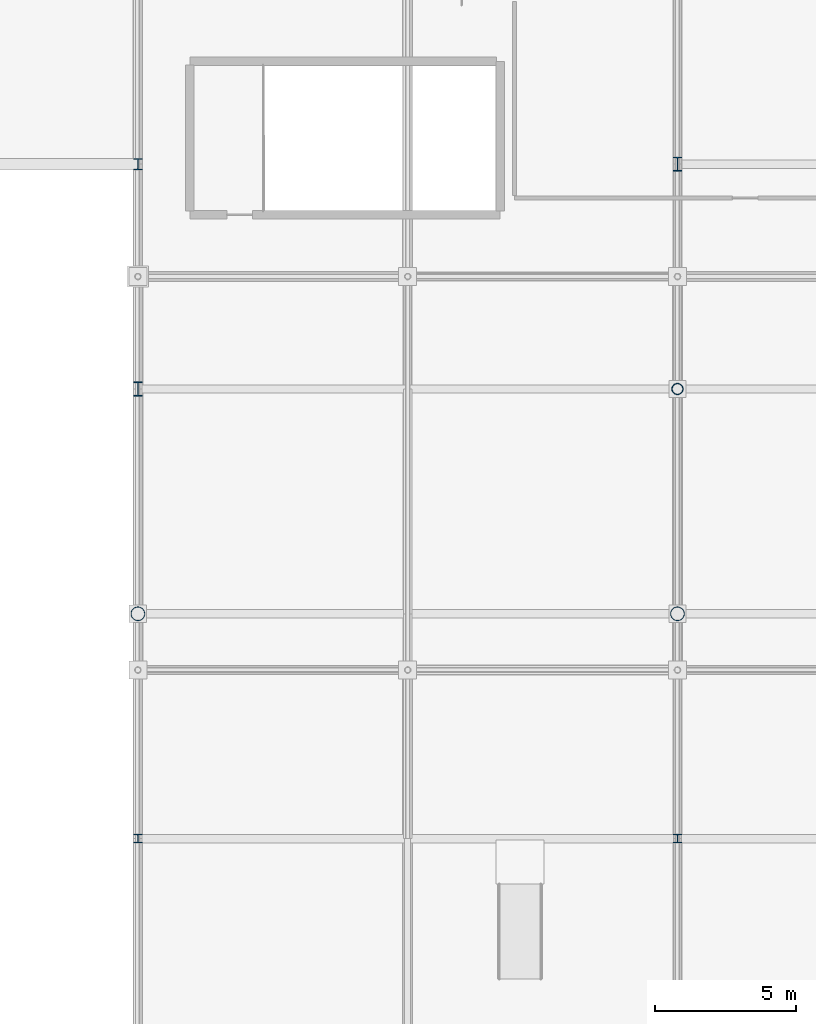
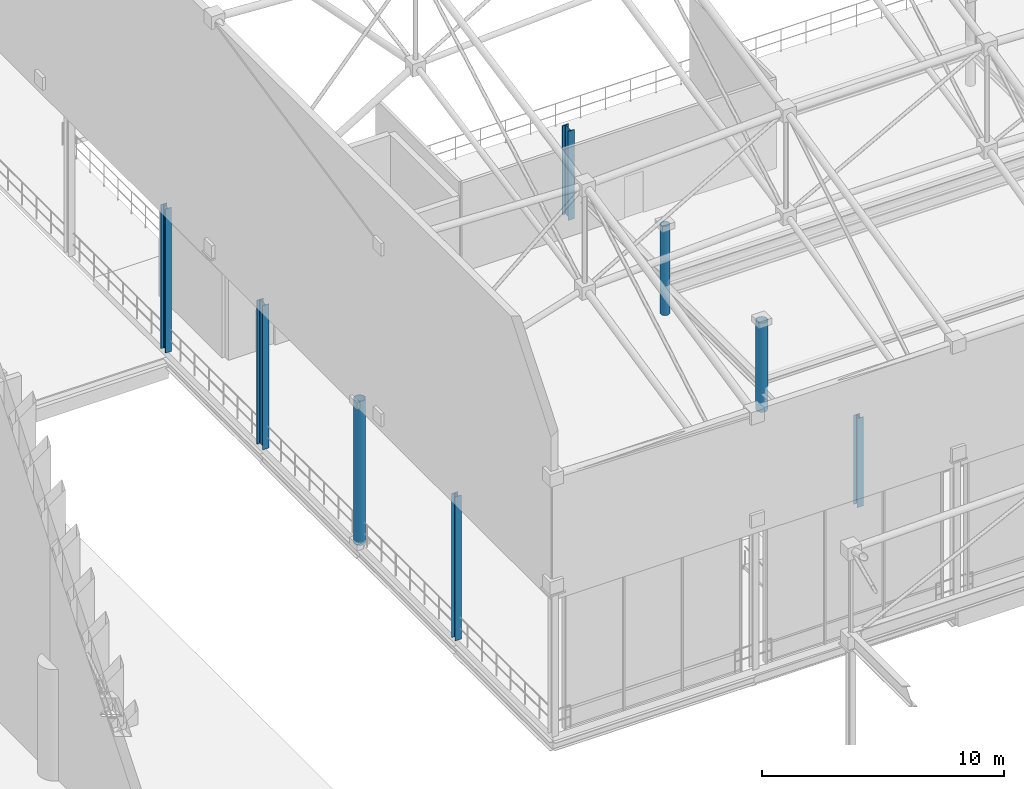
# One storey, part 17 of 193: 8 columns.
"""IFC4 building model written with IfcOpenShell, lengths in metres."""

from ifc_helpers import new_model, si_unit, direction, frame, origin, origin_2d, place, context, subcontext, project, spatial, hollow_circle, i_section, extrude, material, material_profile, profile_set, type_object, element, save


model = new_model("IFC4")

# Units and contexts
model_context = context("Model", 3, precision=1e-05, world=origin(), true_north=direction((0.0, 1.0)))
body_context = subcontext(model_context, "Body", "Model", "MODEL_VIEW")
ifc_project = project(units=[si_unit("LENGTHUNIT", "METRE"), si_unit("AREAUNIT", "SQUARE_METRE"), si_unit("VOLUMEUNIT", "CUBIC_METRE"), si_unit("PLANEANGLEUNIT", "RADIAN"), si_unit("MASSUNIT", "GRAM", prefix="KILO")], contexts=[model_context])

# Site, building, storey
site_placement = place(None, origin())
site = spatial("IfcSite", under=ifc_project, at=site_placement, CompositionType="ELEMENT")
building_placement = place(site_placement, origin())
building = spatial("IfcBuilding", under=site, at=building_placement, Name="Danafjord Basin Convention Centre", CompositionType="ELEMENT")
storey_placement = place(building_placement, frame((0.0, 0.0, 11.39990234375)))
storey = spatial("IfcBuildingStorey", under=building, at=storey_placement, Name="L02", CompositionType="ELEMENT", Elevation=11.39990234375)

# Columns
ifc_material = material(Name="Steel S355", Category="steel")
ifc_material_profile_1 = material_profile(ifc_material, hollow_circle(Radius=0.203125, WallThickness=0.02001953125, at=origin_2d()), Name="CHS 406.4x20.0")
ifc_profile_set_1 = profile_set([ifc_material_profile_1], Name="Steel S355")
column_type_1 = type_object("IfcColumnType", Name="COL-C-CHS406", PredefinedType="COLUMN", material=ifc_profile_set_1)
column_1_placement = place(storey_placement, frame((153.60009765625, 112.0, 0.0), z_axis=(0.0, 0.0, 1.0), x_axis=(1.0, 0.0, 0.0)))
element("IfcColumn", 1, at=column_1_placement, inside=storey, type_object=column_type_1, Name="L02 column C-CHS406 at (153.6, 112.0)", PredefinedType="COLUMN", context=body_context, shape_type="SweptSolid", body=[
    extrude(hollow_circle(Radius=0.203125, WallThickness=0.02001953125, at=origin_2d()), origin(), (0.0, 0.0, 1.0), 4.5),
])
ifc_material_profile_2 = material_profile(ifc_material, hollow_circle(Radius=0.25390625, WallThickness=0.02490234375, at=origin_2d()), Name="CHS 508.0x25.0")
ifc_profile_set_2 = profile_set([ifc_material_profile_2], Name="Steel S355")
column_type_2 = type_object("IfcColumnType", Name="COL-C-CHS508", PredefinedType="COLUMN", material=ifc_profile_set_2)
column_2_placement = place(storey_placement, frame((134.39990234375, 104.0, 0.0), z_axis=(0.0, 0.0, 1.0), x_axis=(1.0, 0.0, 0.0)))
element("IfcColumn", 2, at=column_2_placement, inside=storey, type_object=column_type_2, Name="L02 column C-CHS508 at (134.4, 104.0)", PredefinedType="COLUMN", context=body_context, shape_type="SweptSolid", body=[
    extrude(hollow_circle(Radius=0.25390625, WallThickness=0.02490234375, at=origin_2d()), origin(), (0.0, 0.0, 1.0), 7.27001953125),
])
column_3_placement = place(storey_placement, frame((153.60009765625, 104.0, 0.0), z_axis=(0.0, 0.0, 1.0), x_axis=(1.0, 0.0, 0.0)))
element("IfcColumn", 3, at=column_3_placement, inside=storey, type_object=column_type_2, Name="L02 column C-CHS508 at (153.6, 104.0)", PredefinedType="COLUMN", context=body_context, shape_type="SweptSolid", body=[
    extrude(hollow_circle(Radius=0.25390625, WallThickness=0.02490234375, at=origin_2d()), origin(), (0.0, 0.0, 1.0), 4.5),
])
ifc_material_profile_3 = material_profile(ifc_material, i_section(OverallWidth=0.300048828125, OverallDepth=0.300048828125, WebThickness=0.010986328125, FlangeThickness=0.01904296875, FilletRadius=0.027099609375, at=origin_2d()), Name="HEB 300")
ifc_profile_set_3 = profile_set([ifc_material_profile_3], Name="Steel S355")
column_type_3 = type_object("IfcColumnType", Name="COL-C-HEB300", PredefinedType="COLUMN", material=ifc_profile_set_3)
column_4_placement = place(storey_placement, frame((134.39990234375, 96.0, 0.0), z_axis=(0.0, 0.0, 1.0), x_axis=(1.0, 0.0, 0.0)))
element("IfcColumn", 4, at=column_4_placement, inside=storey, type_object=column_type_3, Name="L02 column C-HEB300 at (134.4, 96.0)", PredefinedType="COLUMN", context=body_context, shape_type="SweptSolid", body=[
    extrude(i_section(OverallWidth=0.300048828125, OverallDepth=0.300048828125, WebThickness=0.010986328125, FlangeThickness=0.01904296875, FilletRadius=0.027099609375, at=origin_2d()), origin(), (0.0, 0.0, 1.0), 7.27001953125),
])
column_5_placement = place(storey_placement, frame((153.60009765625, 96.0, 0.0), z_axis=(0.0, 0.0, 1.0), x_axis=(1.0, 0.0, 0.0)))
element("IfcColumn", 5, at=column_5_placement, inside=storey, type_object=column_type_3, Name="L02 column C-HEB300 at (153.6, 96.0)", PredefinedType="COLUMN", context=body_context, shape_type="SweptSolid", body=[
    extrude(i_section(OverallWidth=0.300048828125, OverallDepth=0.300048828125, WebThickness=0.010986328125, FlangeThickness=0.01904296875, FilletRadius=0.027099609375, at=origin_2d()), origin(), (0.0, 0.0, 1.0), 4.5),
])
ifc_material_profile_4 = material_profile(ifc_material, i_section(OverallWidth=0.300048828125, OverallDepth=0.39990234375, WebThickness=0.013427734375, FlangeThickness=0.02392578125, FilletRadius=0.027099609375, at=origin_2d()), Name="HEB 400")
ifc_profile_set_4 = profile_set([ifc_material_profile_4], Name="Steel S355")
column_type_4 = type_object("IfcColumnType", Name="COL-C-HEB400", PredefinedType="COLUMN", material=ifc_profile_set_4)
column_6_placement = place(storey_placement, frame((134.39990234375, 120.0, 0.0), z_axis=(0.0, 0.0, 1.0), x_axis=(1.0, 0.0, 0.0)))
element("IfcColumn", 6, at=column_6_placement, inside=storey, type_object=column_type_4, Name="L02 column C-HEB400 at (134.4, 120.0)", PredefinedType="COLUMN", context=body_context, shape_type="SweptSolid", body=[
    extrude(i_section(OverallWidth=0.300048828125, OverallDepth=0.39990234375, WebThickness=0.013427734375, FlangeThickness=0.02392578125, FilletRadius=0.027099609375, at=origin_2d()), origin(), (0.0, 0.0, 1.0), 7.27001953125),
])
ifc_material_profile_5 = material_profile(ifc_material, i_section(OverallWidth=0.300048828125, OverallDepth=0.5, WebThickness=0.014404296875, FlangeThickness=0.028076171875, FilletRadius=0.027099609375, at=origin_2d()), Name="HEB 500")
ifc_profile_set_5 = profile_set([ifc_material_profile_5], Name="Steel S355")
column_type_5 = type_object("IfcColumnType", Name="COL-C-HEB500", PredefinedType="COLUMN", material=ifc_profile_set_5)
column_7_placement = place(storey_placement, frame((134.39990234375, 112.0, 0.0), z_axis=(0.0, 0.0, 1.0), x_axis=(1.0, 0.0, 0.0)))
element("IfcColumn", 7, at=column_7_placement, inside=storey, type_object=column_type_5, Name="L02 column C-HEB500 at (134.4, 112.0)", PredefinedType="COLUMN", context=body_context, shape_type="SweptSolid", body=[
    extrude(i_section(OverallWidth=0.300048828125, OverallDepth=0.5, WebThickness=0.014404296875, FlangeThickness=0.028076171875, FilletRadius=0.027099609375, at=origin_2d()), origin(), (0.0, 0.0, 1.0), 7.27001953125),
])
column_8_placement = place(storey_placement, frame((153.60009765625, 120.0, 0.0), z_axis=(0.0, 0.0, 1.0), x_axis=(1.0, 0.0, 0.0)))
element("IfcColumn", 8, at=column_8_placement, inside=storey, type_object=column_type_5, Name="L02 column C-HEB500 at (153.6, 120.0)", PredefinedType="COLUMN", context=body_context, shape_type="SweptSolid", body=[
    extrude(i_section(OverallWidth=0.300048828125, OverallDepth=0.5, WebThickness=0.014404296875, FlangeThickness=0.028076171875, FilletRadius=0.027099609375, at=origin_2d()), origin(), (0.0, 0.0, 1.0), 4.5),
])

save(model, "model.ifc")
